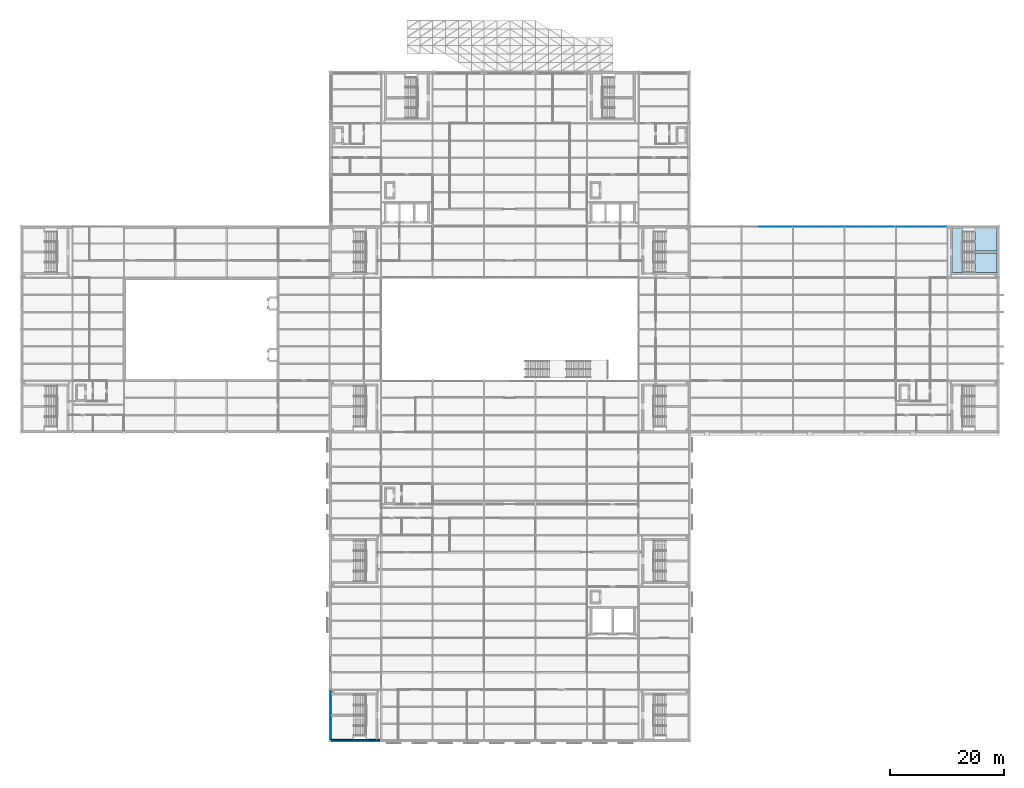
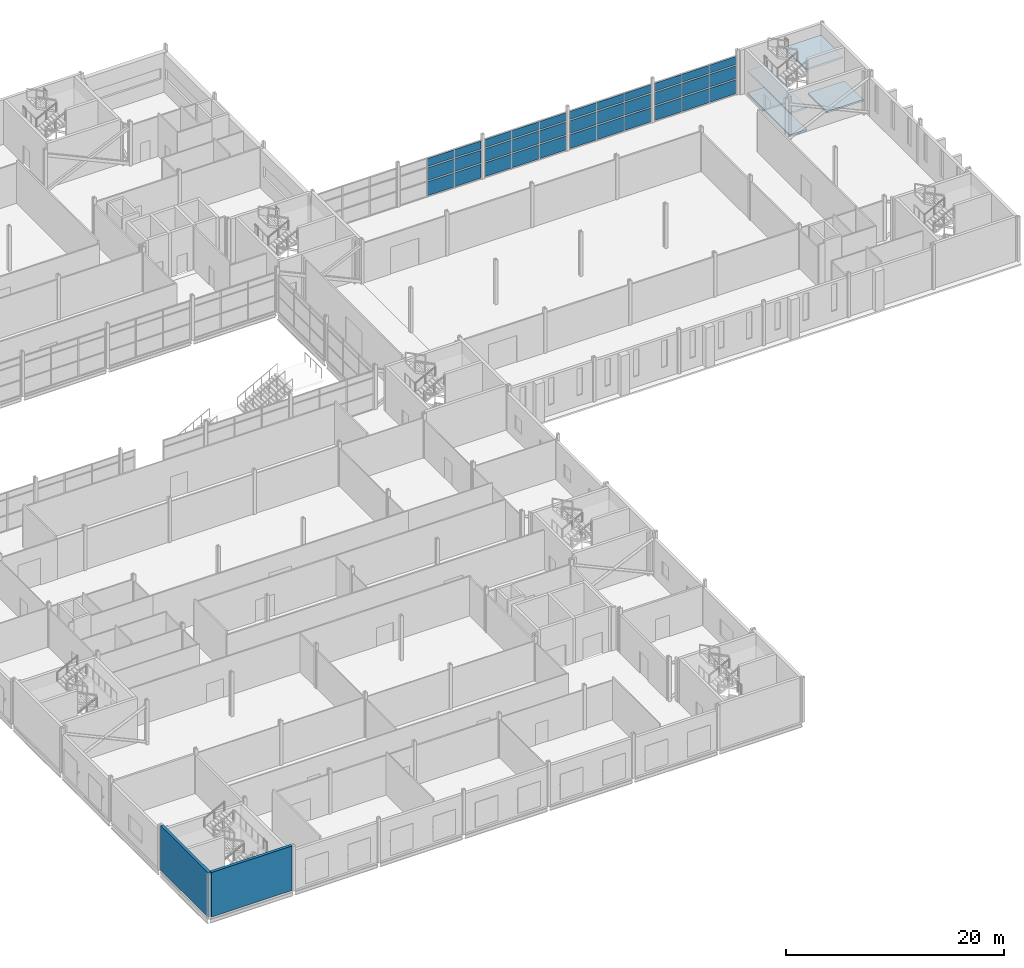
# One storey, part 74 of 112: 33 plates, 4 slabs, 2 walls, 5 elements without a shape of their own.
"""IFC4 building model written with IfcOpenShell, lengths in metres."""

from ifc_helpers import new_model, si_unit, direction, frame, frame_2d, origin, origin_2d, place, context, subcontext, project, spatial, polyline, rectangle, outline, extrude, material, layer, layer_set, type_object, element, aggregate, save


model = new_model("IFC4")

# Units and contexts
model_context = context("Model", 3, precision=1e-05, world=origin(), true_north=direction((0.0, 1.0)))
body_context = subcontext(model_context, "Body", "Model", "MODEL_VIEW")
ifc_project = project(units=[si_unit("LENGTHUNIT", "METRE"), si_unit("AREAUNIT", "SQUARE_METRE"), si_unit("VOLUMEUNIT", "CUBIC_METRE"), si_unit("PLANEANGLEUNIT", "RADIAN"), si_unit("MASSUNIT", "GRAM", prefix="KILO")], contexts=[model_context])

# Site, building, storey
site_placement = place(None, origin())
site = spatial("IfcSite", under=ifc_project, at=site_placement, CompositionType="ELEMENT")
building_placement = place(site_placement, origin())
building = spatial("IfcBuilding", under=site, at=building_placement, Name="Shorebreak Coast Museum", CompositionType="ELEMENT")
storey_placement = place(building_placement, frame((0.0, 0.0, 6.0)))
storey = spatial("IfcBuildingStorey", under=building, at=storey_placement, Name="L01", CompositionType="ELEMENT", Elevation=6.0)

# Stair, slabs
ifc_material_1 = material(Name="Concrete N40 (40 MPa)", Category="concrete")
stair_type = type_object("IfcStairType", Name="Stair run 5 m", PredefinedType="DOUBLE_RETURN_STAIR", material=ifc_material_1)
stair_placement = place(storey_placement, origin())
stair = element("IfcStair", 1, at=stair_placement, inside=storey, type_object=stair_type, Name="Exit stair ST08-L01", PredefinedType="DOUBLE_RETURN_STAIR")
ifc_material_2 = material(Name="Concrete N40 (40 MPa)", Category="concrete")
ifc_layer_1 = layer(ifc_material_2, 0.199951171875)
ifc_layer_set_1 = layer_set([ifc_layer_1], Name="Concrete N40 (40 MPa)")
slab_type = type_object("IfcSlabType", Name="Stair landing 200", PredefinedType="LANDING", material=ifc_layer_set_1)
slab_1_placement = place(storey_placement, frame((0.0, 0.0, -0.199951171875)))
slab_1 = element("IfcSlab", 2, at=slab_1_placement, type_object=slab_type, Name="ST08-L01 landing 1", PredefinedType="LANDING", context=body_context, shape_type="SweptSolid", body=[
    extrude(outline(polyline([(162.89990234375, 81.89990234375), (164.699951171875, 81.89990234375), (164.699951171875, 89.699951171875), (162.89990234375, 89.699951171875), (162.89990234375, 81.89990234375)])), origin(), (0.0, 0.0, 1.0), 0.199951171875),
])
slab_2_placement = place(storey_placement, frame((0.0, 0.0, 2.300048828125)))
slab_2 = element("IfcSlab", 3, at=slab_2_placement, type_object=slab_type, Name="ST08-L01 landing 2", PredefinedType="LANDING", context=body_context, shape_type="SweptSolid", body=[
    extrude(outline(polyline([(162.89990234375, 81.89990234375), (164.699951171875, 81.89990234375), (164.699951171875, 89.699951171875), (162.89990234375, 89.699951171875), (162.89990234375, 81.89990234375)])), origin(), (0.0, 0.0, 1.0), 0.199951171875),
])
slab_3_placement = place(storey_placement, frame((0.0, 0.0, 1.050048828125)))
slab_3 = element("IfcSlab", 4, at=slab_3_placement, type_object=slab_type, Name="ST08-L01 landing 3", PredefinedType="LANDING", context=body_context, shape_type="SweptSolid", body=[
    extrude(outline(polyline([(166.800048828125, 81.89990234375), (170.699951171875, 81.89990234375), (170.699951171875, 85.35009765625), (166.800048828125, 85.35009765625), (166.800048828125, 81.89990234375)])), origin(), (0.0, 0.0, 1.0), 0.199951171875),
])
slab_4_placement = place(storey_placement, frame((0.0, 0.0, 3.550048828125)))
slab_4 = element("IfcSlab", 5, at=slab_4_placement, type_object=slab_type, Name="ST08-L01 landing 4", PredefinedType="LANDING", context=body_context, shape_type="SweptSolid", body=[
    extrude(outline(polyline([(166.800048828125, 85.64990234375), (170.699951171875, 85.64990234375), (170.699951171875, 89.699951171875), (166.800048828125, 89.699951171875), (166.800048828125, 85.64990234375)])), origin(), (0.0, 0.0, 1.0), 0.199951171875),
])
aggregate(stair, [slab_1, slab_2, slab_3, slab_4])

# Curtain wall, plates
ifc_material_3 = material(Name="Aluminium", Category="aluminium")
ifc_layer_2 = layer(ifc_material_3, 0.14990234375)
ifc_layer_set_2 = layer_set([ifc_layer_2], Name="Aluminium")
curtain_wall_type = type_object("IfcCurtainWallType", Name="Storefront curtain wall", PredefinedType="NOTDEFINED", material=ifc_layer_set_2)
curtain_wall_1_placement = place(storey_placement, origin())
curtain_wall_1 = element("IfcCurtainWall", 6, at=curtain_wall_1_placement, inside=storey, type_object=curtain_wall_type, Name="Storefront L01 N 14", PredefinedType="NOTDEFINED")
ifc_material_4 = material(Name="Glass", Category="glass")
ifc_layer_3 = layer(ifc_material_4, 0.031982421875)
ifc_layer_set_3 = layer_set([ifc_layer_3], Name="Glass")
plate_type = type_object("IfcPlateType", Name="Storefront glass panel 32", PredefinedType="CURTAIN_PANEL", material=ifc_layer_set_3)
plate_1_placement = place(storey_placement, frame((130.5, 89.925048828125, 0.14990234375), z_axis=(0.0, 0.0, 1.0), x_axis=(1.0, 0.0, 0.0)))
plate_1 = element("IfcPlate", 7, at=plate_1_placement, type_object=plate_type, Name="CW8 panel 2.1", PredefinedType="CURTAIN_PANEL", context=body_context, shape_type="SweptSolid", body=[
    extrude(rectangle(XDim=2.85009765625, YDim=0.031982421875, at=origin_2d()), origin(), (0.0, 0.0, 1.0), 1.562744140625),
])
plate_2_placement = place(storey_placement, frame((130.5, 89.925048828125, 1.86279296875), z_axis=(0.0, 0.0, 1.0), x_axis=(1.0, 0.0, 0.0)))
plate_2 = element("IfcPlate", 8, at=plate_2_placement, type_object=plate_type, Name="CW8 panel 2.2", PredefinedType="CURTAIN_PANEL", context=body_context, shape_type="SweptSolid", body=[
    extrude(rectangle(XDim=2.85009765625, YDim=0.031982421875, at=origin_2d()), origin(), (0.0, 0.0, 1.0), 1.414306640625),
])
plate_3_placement = place(storey_placement, frame((130.5, 89.925048828125, 3.42724609375), z_axis=(0.0, 0.0, 1.0), x_axis=(1.0, 0.0, 0.0)))
plate_3 = element("IfcPlate", 9, at=plate_3_placement, type_object=plate_type, Name="CW8 panel 2.3", PredefinedType="CURTAIN_PANEL", context=body_context, shape_type="SweptSolid", body=[
    extrude(rectangle(XDim=2.85009765625, YDim=0.031982421875, at=origin_2d()), origin(), (0.0, 0.0, 1.0), 0.892333984375),
])
plate_4_placement = place(storey_placement, frame((133.387451171875, 89.925048828125, 0.14990234375), z_axis=(0.0, 0.0, 1.0), x_axis=(1.0, 0.0, 0.0)))
plate_4 = element("IfcPlate", 10, at=plate_4_placement, type_object=plate_type, Name="CW8 panel 3.1", PredefinedType="CURTAIN_PANEL", context=body_context, shape_type="SweptSolid", body=[
    extrude(rectangle(XDim=2.824951171875, YDim=0.031982421875, at=origin_2d()), origin(), (0.0, 0.0, 1.0), 1.562744140625),
])
plate_5_placement = place(storey_placement, frame((133.387451171875, 89.925048828125, 1.86279296875), z_axis=(0.0, 0.0, 1.0), x_axis=(1.0, 0.0, 0.0)))
plate_5 = element("IfcPlate", 11, at=plate_5_placement, type_object=plate_type, Name="CW8 panel 3.2", PredefinedType="CURTAIN_PANEL", context=body_context, shape_type="SweptSolid", body=[
    extrude(rectangle(XDim=2.824951171875, YDim=0.031982421875, at=origin_2d()), origin(), (0.0, 0.0, 1.0), 1.414306640625),
])
plate_6_placement = place(storey_placement, frame((133.387451171875, 89.925048828125, 3.42724609375), z_axis=(0.0, 0.0, 1.0), x_axis=(1.0, 0.0, 0.0)))
plate_6 = element("IfcPlate", 12, at=plate_6_placement, type_object=plate_type, Name="CW8 panel 3.3", PredefinedType="CURTAIN_PANEL", context=body_context, shape_type="SweptSolid", body=[
    extrude(rectangle(XDim=2.824951171875, YDim=0.031982421875, at=origin_2d()), origin(), (0.0, 0.0, 1.0), 0.892333984375),
])
aggregate(curtain_wall_1, [plate_1, plate_2, plate_3, plate_4, plate_5, plate_6])

curtain_wall_2_placement = place(storey_placement, origin())
curtain_wall_2 = element("IfcCurtainWall", 13, at=curtain_wall_2_placement, inside=storey, type_object=curtain_wall_type, Name="Storefront L01 N 15", PredefinedType="NOTDEFINED")
plate_7_placement = place(storey_placement, frame((136.612548828125, 89.925048828125, 0.14990234375), z_axis=(0.0, 0.0, 1.0), x_axis=(1.0, 0.0, 0.0)))
plate_7 = element("IfcPlate", 14, at=plate_7_placement, type_object=plate_type, Name="CW8 panel 1.1", PredefinedType="CURTAIN_PANEL", context=body_context, shape_type="SweptSolid", body=[
    extrude(rectangle(XDim=2.824951171875, YDim=0.031982421875, at=origin_2d()), origin(), (0.0, 0.0, 1.0), 1.562744140625),
])
plate_8_placement = place(storey_placement, frame((136.612548828125, 89.925048828125, 1.86279296875), z_axis=(0.0, 0.0, 1.0), x_axis=(1.0, 0.0, 0.0)))
plate_8 = element("IfcPlate", 15, at=plate_8_placement, type_object=plate_type, Name="CW8 panel 1.2", PredefinedType="CURTAIN_PANEL", context=body_context, shape_type="SweptSolid", body=[
    extrude(rectangle(XDim=2.824951171875, YDim=0.031982421875, at=origin_2d()), origin(), (0.0, 0.0, 1.0), 1.414306640625),
])
plate_9_placement = place(storey_placement, frame((136.612548828125, 89.925048828125, 3.42724609375), z_axis=(0.0, 0.0, 1.0), x_axis=(1.0, 0.0, 0.0)))
plate_9 = element("IfcPlate", 16, at=plate_9_placement, type_object=plate_type, Name="CW8 panel 1.3", PredefinedType="CURTAIN_PANEL", context=body_context, shape_type="SweptSolid", body=[
    extrude(rectangle(XDim=2.824951171875, YDim=0.031982421875, at=origin_2d()), origin(), (0.0, 0.0, 1.0), 0.892333984375),
])
plate_10_placement = place(storey_placement, frame((139.5, 89.925048828125, 0.14990234375), z_axis=(0.0, 0.0, 1.0), x_axis=(1.0, 0.0, 0.0)))
plate_10 = element("IfcPlate", 17, at=plate_10_placement, type_object=plate_type, Name="CW8 panel 2.1", PredefinedType="CURTAIN_PANEL", context=body_context, shape_type="SweptSolid", body=[
    extrude(rectangle(XDim=2.85009765625, YDim=0.031982421875, at=origin_2d()), origin(), (0.0, 0.0, 1.0), 1.562744140625),
])
plate_11_placement = place(storey_placement, frame((139.5, 89.925048828125, 1.86279296875), z_axis=(0.0, 0.0, 1.0), x_axis=(1.0, 0.0, 0.0)))
plate_11 = element("IfcPlate", 18, at=plate_11_placement, type_object=plate_type, Name="CW8 panel 2.2", PredefinedType="CURTAIN_PANEL", context=body_context, shape_type="SweptSolid", body=[
    extrude(rectangle(XDim=2.85009765625, YDim=0.031982421875, at=origin_2d()), origin(), (0.0, 0.0, 1.0), 1.414306640625),
])
plate_12_placement = place(storey_placement, frame((139.5, 89.925048828125, 3.42724609375), z_axis=(0.0, 0.0, 1.0), x_axis=(1.0, 0.0, 0.0)))
plate_12 = element("IfcPlate", 19, at=plate_12_placement, type_object=plate_type, Name="CW8 panel 2.3", PredefinedType="CURTAIN_PANEL", context=body_context, shape_type="SweptSolid", body=[
    extrude(rectangle(XDim=2.85009765625, YDim=0.031982421875, at=origin_2d()), origin(), (0.0, 0.0, 1.0), 0.892333984375),
])
plate_13_placement = place(storey_placement, frame((142.387451171875, 89.925048828125, 0.14990234375), z_axis=(0.0, 0.0, 1.0), x_axis=(1.0, 0.0, 0.0)))
plate_13 = element("IfcPlate", 20, at=plate_13_placement, type_object=plate_type, Name="CW8 panel 3.1", PredefinedType="CURTAIN_PANEL", context=body_context, shape_type="SweptSolid", body=[
    extrude(rectangle(XDim=2.824951171875, YDim=0.031982421875, at=origin_2d()), origin(), (0.0, 0.0, 1.0), 1.562744140625),
])
plate_14_placement = place(storey_placement, frame((142.387451171875, 89.925048828125, 1.86279296875), z_axis=(0.0, 0.0, 1.0), x_axis=(1.0, 0.0, 0.0)))
plate_14 = element("IfcPlate", 21, at=plate_14_placement, type_object=plate_type, Name="CW8 panel 3.2", PredefinedType="CURTAIN_PANEL", context=body_context, shape_type="SweptSolid", body=[
    extrude(rectangle(XDim=2.824951171875, YDim=0.031982421875, at=origin_2d()), origin(), (0.0, 0.0, 1.0), 1.414306640625),
])
plate_15_placement = place(storey_placement, frame((142.387451171875, 89.925048828125, 3.42724609375), z_axis=(0.0, 0.0, 1.0), x_axis=(1.0, 0.0, 0.0)))
plate_15 = element("IfcPlate", 22, at=plate_15_placement, type_object=plate_type, Name="CW8 panel 3.3", PredefinedType="CURTAIN_PANEL", context=body_context, shape_type="SweptSolid", body=[
    extrude(rectangle(XDim=2.824951171875, YDim=0.031982421875, at=origin_2d()), origin(), (0.0, 0.0, 1.0), 0.892333984375),
])
aggregate(curtain_wall_2, [plate_7, plate_8, plate_9, plate_10, plate_11, plate_12, plate_13, plate_14, plate_15])

curtain_wall_3_placement = place(storey_placement, origin())
curtain_wall_3 = element("IfcCurtainWall", 23, at=curtain_wall_3_placement, inside=storey, type_object=curtain_wall_type, Name="Storefront L01 N 16", PredefinedType="NOTDEFINED")
plate_16_placement = place(storey_placement, frame((145.612548828125, 89.925048828125, 0.14990234375), z_axis=(0.0, 0.0, 1.0), x_axis=(1.0, 0.0, 0.0)))
plate_16 = element("IfcPlate", 24, at=plate_16_placement, type_object=plate_type, Name="CW8 panel 1.1", PredefinedType="CURTAIN_PANEL", context=body_context, shape_type="SweptSolid", body=[
    extrude(rectangle(XDim=2.824951171875, YDim=0.031982421875, at=origin_2d()), origin(), (0.0, 0.0, 1.0), 1.562744140625),
])
plate_17_placement = place(storey_placement, frame((145.612548828125, 89.925048828125, 1.86279296875), z_axis=(0.0, 0.0, 1.0), x_axis=(1.0, 0.0, 0.0)))
plate_17 = element("IfcPlate", 25, at=plate_17_placement, type_object=plate_type, Name="CW8 panel 1.2", PredefinedType="CURTAIN_PANEL", context=body_context, shape_type="SweptSolid", body=[
    extrude(rectangle(XDim=2.824951171875, YDim=0.031982421875, at=origin_2d()), origin(), (0.0, 0.0, 1.0), 1.414306640625),
])
plate_18_placement = place(storey_placement, frame((145.612548828125, 89.925048828125, 3.42724609375), z_axis=(0.0, 0.0, 1.0), x_axis=(1.0, 0.0, 0.0)))
plate_18 = element("IfcPlate", 26, at=plate_18_placement, type_object=plate_type, Name="CW8 panel 1.3", PredefinedType="CURTAIN_PANEL", context=body_context, shape_type="SweptSolid", body=[
    extrude(rectangle(XDim=2.824951171875, YDim=0.031982421875, at=origin_2d()), origin(), (0.0, 0.0, 1.0), 0.892333984375),
])
plate_19_placement = place(storey_placement, frame((148.5, 89.925048828125, 0.14990234375), z_axis=(0.0, 0.0, 1.0), x_axis=(1.0, 0.0, 0.0)))
plate_19 = element("IfcPlate", 27, at=plate_19_placement, type_object=plate_type, Name="CW8 panel 2.1", PredefinedType="CURTAIN_PANEL", context=body_context, shape_type="SweptSolid", body=[
    extrude(rectangle(XDim=2.85009765625, YDim=0.031982421875, at=origin_2d()), origin(), (0.0, 0.0, 1.0), 1.562744140625),
])
plate_20_placement = place(storey_placement, frame((148.5, 89.925048828125, 1.86279296875), z_axis=(0.0, 0.0, 1.0), x_axis=(1.0, 0.0, 0.0)))
plate_20 = element("IfcPlate", 28, at=plate_20_placement, type_object=plate_type, Name="CW8 panel 2.2", PredefinedType="CURTAIN_PANEL", context=body_context, shape_type="SweptSolid", body=[
    extrude(rectangle(XDim=2.85009765625, YDim=0.031982421875, at=origin_2d()), origin(), (0.0, 0.0, 1.0), 1.414306640625),
])
plate_21_placement = place(storey_placement, frame((148.5, 89.925048828125, 3.42724609375), z_axis=(0.0, 0.0, 1.0), x_axis=(1.0, 0.0, 0.0)))
plate_21 = element("IfcPlate", 29, at=plate_21_placement, type_object=plate_type, Name="CW8 panel 2.3", PredefinedType="CURTAIN_PANEL", context=body_context, shape_type="SweptSolid", body=[
    extrude(rectangle(XDim=2.85009765625, YDim=0.031982421875, at=origin_2d()), origin(), (0.0, 0.0, 1.0), 0.892333984375),
])
plate_22_placement = place(storey_placement, frame((151.387451171875, 89.925048828125, 0.14990234375), z_axis=(0.0, 0.0, 1.0), x_axis=(1.0, 0.0, 0.0)))
plate_22 = element("IfcPlate", 30, at=plate_22_placement, type_object=plate_type, Name="CW8 panel 3.1", PredefinedType="CURTAIN_PANEL", context=body_context, shape_type="SweptSolid", body=[
    extrude(rectangle(XDim=2.824951171875, YDim=0.031982421875, at=origin_2d()), origin(), (0.0, 0.0, 1.0), 1.562744140625),
])
plate_23_placement = place(storey_placement, frame((151.387451171875, 89.925048828125, 1.86279296875), z_axis=(0.0, 0.0, 1.0), x_axis=(1.0, 0.0, 0.0)))
plate_23 = element("IfcPlate", 31, at=plate_23_placement, type_object=plate_type, Name="CW8 panel 3.2", PredefinedType="CURTAIN_PANEL", context=body_context, shape_type="SweptSolid", body=[
    extrude(rectangle(XDim=2.824951171875, YDim=0.031982421875, at=origin_2d()), origin(), (0.0, 0.0, 1.0), 1.414306640625),
])
plate_24_placement = place(storey_placement, frame((151.387451171875, 89.925048828125, 3.42724609375), z_axis=(0.0, 0.0, 1.0), x_axis=(1.0, 0.0, 0.0)))
plate_24 = element("IfcPlate", 32, at=plate_24_placement, type_object=plate_type, Name="CW8 panel 3.3", PredefinedType="CURTAIN_PANEL", context=body_context, shape_type="SweptSolid", body=[
    extrude(rectangle(XDim=2.824951171875, YDim=0.031982421875, at=origin_2d()), origin(), (0.0, 0.0, 1.0), 0.892333984375),
])
aggregate(curtain_wall_3, [plate_16, plate_17, plate_18, plate_19, plate_20, plate_21, plate_22, plate_23, plate_24])

curtain_wall_4_placement = place(storey_placement, origin())
curtain_wall_4 = element("IfcCurtainWall", 33, at=curtain_wall_4_placement, inside=storey, type_object=curtain_wall_type, Name="Storefront L01 N 17", PredefinedType="NOTDEFINED")
plate_25_placement = place(storey_placement, frame((154.612548828125, 89.925048828125, 0.14990234375), z_axis=(0.0, 0.0, 1.0), x_axis=(1.0, 0.0, 0.0)))
plate_25 = element("IfcPlate", 34, at=plate_25_placement, type_object=plate_type, Name="CW8 panel 1.1", PredefinedType="CURTAIN_PANEL", context=body_context, shape_type="SweptSolid", body=[
    extrude(rectangle(XDim=2.824951171875, YDim=0.031982421875, at=origin_2d()), origin(), (0.0, 0.0, 1.0), 1.562744140625),
])
plate_26_placement = place(storey_placement, frame((154.612548828125, 89.925048828125, 1.86279296875), z_axis=(0.0, 0.0, 1.0), x_axis=(1.0, 0.0, 0.0)))
plate_26 = element("IfcPlate", 35, at=plate_26_placement, type_object=plate_type, Name="CW8 panel 1.2", PredefinedType="CURTAIN_PANEL", context=body_context, shape_type="SweptSolid", body=[
    extrude(rectangle(XDim=2.824951171875, YDim=0.031982421875, at=origin_2d()), origin(), (0.0, 0.0, 1.0), 1.414306640625),
])
plate_27_placement = place(storey_placement, frame((154.612548828125, 89.925048828125, 3.42724609375), z_axis=(0.0, 0.0, 1.0), x_axis=(1.0, 0.0, 0.0)))
plate_27 = element("IfcPlate", 36, at=plate_27_placement, type_object=plate_type, Name="CW8 panel 1.3", PredefinedType="CURTAIN_PANEL", context=body_context, shape_type="SweptSolid", body=[
    extrude(rectangle(XDim=2.824951171875, YDim=0.031982421875, at=origin_2d()), origin(), (0.0, 0.0, 1.0), 0.892333984375),
])
plate_28_placement = place(storey_placement, frame((157.5, 89.925048828125, 0.14990234375), z_axis=(0.0, 0.0, 1.0), x_axis=(1.0, 0.0, 0.0)))
plate_28 = element("IfcPlate", 37, at=plate_28_placement, type_object=plate_type, Name="CW8 panel 2.1", PredefinedType="CURTAIN_PANEL", context=body_context, shape_type="SweptSolid", body=[
    extrude(rectangle(XDim=2.85009765625, YDim=0.031982421875, at=origin_2d()), origin(), (0.0, 0.0, 1.0), 1.562744140625),
])
plate_29_placement = place(storey_placement, frame((157.5, 89.925048828125, 1.86279296875), z_axis=(0.0, 0.0, 1.0), x_axis=(1.0, 0.0, 0.0)))
plate_29 = element("IfcPlate", 38, at=plate_29_placement, type_object=plate_type, Name="CW8 panel 2.2", PredefinedType="CURTAIN_PANEL", context=body_context, shape_type="SweptSolid", body=[
    extrude(rectangle(XDim=2.85009765625, YDim=0.031982421875, at=origin_2d()), origin(), (0.0, 0.0, 1.0), 1.414306640625),
])
plate_30_placement = place(storey_placement, frame((157.5, 89.925048828125, 3.42724609375), z_axis=(0.0, 0.0, 1.0), x_axis=(1.0, 0.0, 0.0)))
plate_30 = element("IfcPlate", 39, at=plate_30_placement, type_object=plate_type, Name="CW8 panel 2.3", PredefinedType="CURTAIN_PANEL", context=body_context, shape_type="SweptSolid", body=[
    extrude(rectangle(XDim=2.85009765625, YDim=0.031982421875, at=origin_2d()), origin(), (0.0, 0.0, 1.0), 0.892333984375),
])
plate_31_placement = place(storey_placement, frame((160.387451171875, 89.925048828125, 0.14990234375), z_axis=(0.0, 0.0, 1.0), x_axis=(1.0, 0.0, 0.0)))
plate_31 = element("IfcPlate", 40, at=plate_31_placement, type_object=plate_type, Name="CW8 panel 3.1", PredefinedType="CURTAIN_PANEL", context=body_context, shape_type="SweptSolid", body=[
    extrude(rectangle(XDim=2.824951171875, YDim=0.031982421875, at=origin_2d()), origin(), (0.0, 0.0, 1.0), 1.562744140625),
])
plate_32_placement = place(storey_placement, frame((160.387451171875, 89.925048828125, 1.86279296875), z_axis=(0.0, 0.0, 1.0), x_axis=(1.0, 0.0, 0.0)))
plate_32 = element("IfcPlate", 41, at=plate_32_placement, type_object=plate_type, Name="CW8 panel 3.2", PredefinedType="CURTAIN_PANEL", context=body_context, shape_type="SweptSolid", body=[
    extrude(rectangle(XDim=2.824951171875, YDim=0.031982421875, at=origin_2d()), origin(), (0.0, 0.0, 1.0), 1.414306640625),
])
plate_33_placement = place(storey_placement, frame((160.387451171875, 89.925048828125, 3.42724609375), z_axis=(0.0, 0.0, 1.0), x_axis=(1.0, 0.0, 0.0)))
plate_33 = element("IfcPlate", 42, at=plate_33_placement, type_object=plate_type, Name="CW8 panel 3.3", PredefinedType="CURTAIN_PANEL", context=body_context, shape_type="SweptSolid", body=[
    extrude(rectangle(XDim=2.824951171875, YDim=0.031982421875, at=origin_2d()), origin(), (0.0, 0.0, 1.0), 0.892333984375),
])
aggregate(curtain_wall_4, [plate_25, plate_26, plate_27, plate_28, plate_29, plate_30, plate_31, plate_32, plate_33])

# Walls
ifc_material_5 = material(Name="Concrete N50 (50 MPa)", Category="concrete")
ifc_layer_4 = layer(ifc_material_5, 0.300048828125)
ifc_layer_set_4 = layer_set([ifc_layer_4], Name="Concrete N50 (50 MPa)")
wall_type = type_object("IfcWallType", Name="RC wall 300", PredefinedType="SHEAR", material=ifc_layer_set_4)
wall_1_placement = place(storey_placement, frame((54.300048828125, 0.14990234375, 0.0), z_axis=(0.0, 0.0, 1.0), x_axis=(1.0, 0.0, 0.0)))
element("IfcWall", 43, at=wall_1_placement, inside=storey, type_object=wall_type, Name="Stair core wall ST11 L01 S", PredefinedType="SHEAR", context=body_context, shape_type="SweptSolid", body=[
    extrude(rectangle(XDim=8.550048828125, YDim=0.300048828125, at=frame_2d((4.27490234375, 0.0))), origin(), (0.0, 0.0, 1.0), 5.0),
])
wall_2_placement = place(storey_placement, frame((54.14990234375, 0.14990234375, 0.0), z_axis=(0.0, 0.0, 1.0), x_axis=(0.0, 1.0, 0.0)))
element("IfcWall", 44, at=wall_2_placement, inside=storey, type_object=wall_type, Name="Stair core wall ST11 L01 W", PredefinedType="SHEAR", context=body_context, shape_type="SweptSolid", body=[
    extrude(rectangle(XDim=8.7001953125, YDim=0.300048828125, at=frame_2d((4.35009765625, 0.0))), origin(), (0.0, 0.0, 1.0), 5.0),
])

save(model, "model.ifc")
